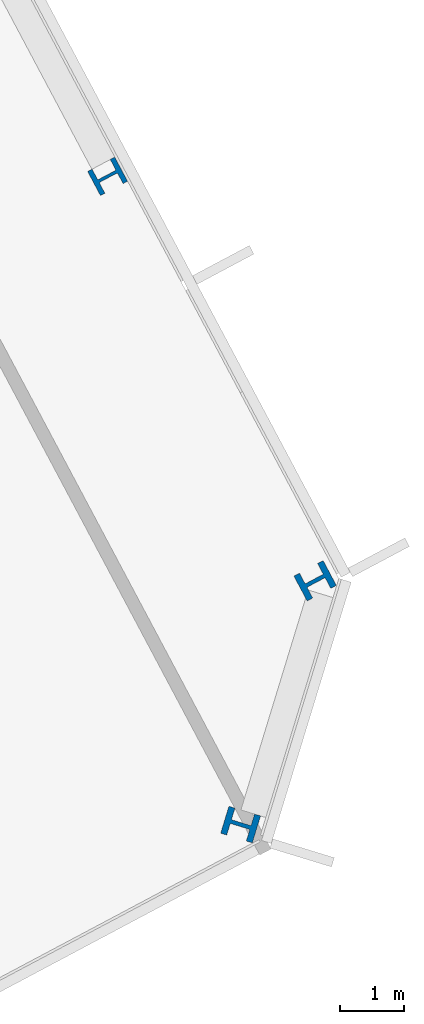
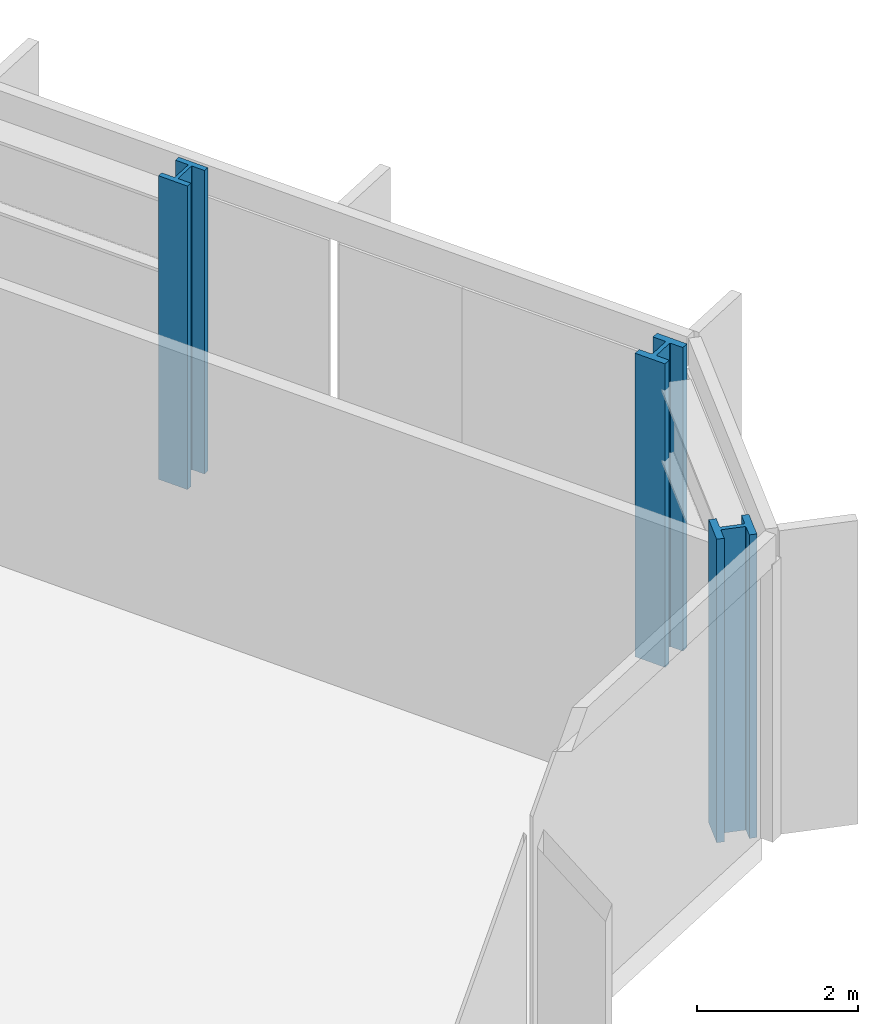
# One storey, part 6 of 30: 3 columns.
"""IFC4 building model written with IfcOpenShell, lengths in metres."""

import ifcopenshell
import ifcopenshell.guid

model = None  # the IFC model being written
_history = None  # IfcOwnerHistory: only IFC2X3 demands one
_inside = {}  # id of a spatial element -> (the spatial element, [elements in it])
_under = {}  # id of a project, library or spatial element -> (it, [spatial elements below it])
_declared = {}  # id of a project -> (the project, [libraries it declares])
_typed = {}  # id of a type object -> (the type object, [elements of that type])
_made_of = {}  # id of a material, layer set ... -> (it, [elements and type objects made of it])


def new_model(schema):
    """Start an empty IFC model of exactly this schema.

    Asked for "IFC4X3", IfcOpenShell would pick the latest addendum, in which some entities
    have other attributes; the version numbers below select the first issue.
    IFC2X3 requires an IfcOwnerHistory on every rooted entity: one is made here for all.
    """
    global model, _history
    if schema == "IFC4X3":
        model = ifcopenshell.file(schema_version=(4, 3, 0, 0))
    else:
        model = ifcopenshell.file(schema=schema)
    _inside.clear()
    _under.clear()
    _declared.clear()
    _typed.clear()
    _made_of.clear()
    _history = None
    if model.schema == "IFC2X3":
        org = make("IfcOrganization", Name="unknown")
        user = make(
            "IfcPersonAndOrganization",
            ThePerson=make("IfcPerson", FamilyName="unknown"),
            TheOrganization=org,
        )
        app = make(
            "IfcApplication",
            ApplicationDeveloper=org,
            Version="unknown",
            ApplicationFullName="unknown",
            ApplicationIdentifier="unknown",
        )
        _history = make(
            "IfcOwnerHistory",
            OwningUser=user,
            OwningApplication=app,
            ChangeAction="ADDED",
            CreationDate=0,
        )
    return model


def make(cls, **values):
    """One entity of the class cls with the attributes given. An attribute that is None is left unset."""
    return model.create_entity(
        cls, **{name: value for name, value in values.items() if value is not None}
    )


def rooted(cls, **values):
    """An entity with a GlobalId (a new one), such as an element, a storey or a relation."""
    return make(cls, GlobalId=ifcopenshell.guid.new(), OwnerHistory=_history, **values)


def si_unit(unit_type, name, prefix=None):
    """IfcSIUnit, for example si_unit("LENGTHUNIT", "METRE", prefix="MILLI")."""
    return make("IfcSIUnit", UnitType=unit_type, Prefix=prefix, Name=name)


def assignment(units):
    """IfcUnitAssignment: the units of a project."""
    return None if units is None else make("IfcUnitAssignment", Units=units)


def point(xyz):
    """IfcCartesianPoint."""
    return None if xyz is None else make("IfcCartesianPoint", Coordinates=xyz)


def direction(xyz):
    """IfcDirection."""
    return None if xyz is None else make("IfcDirection", DirectionRatios=xyz)


def frame(location, z_axis=None, x_axis=None):
    """IfcAxis2Placement3D, a coordinate frame: its origin and axes. An axis left out is left unset."""
    return make(
        "IfcAxis2Placement3D",
        Location=point(location),
        Axis=direction(z_axis),
        RefDirection=direction(x_axis),
    )


def frame_2d(location, x_axis=None):
    """IfcAxis2Placement2D, a coordinate frame in the plane: its origin and x axis."""
    return make(
        "IfcAxis2Placement2D", Location=point(location), RefDirection=direction(x_axis)
    )


def origin():
    """The frame at (0, 0, 0) with its axes left unset."""
    return frame((0.0, 0.0, 0.0))


def origin_2d():
    """The frame at (0, 0) in the plane with its x axis left unset."""
    return frame_2d((0.0, 0.0))


def place(relative_to, where):
    """IfcLocalPlacement: puts the frame where relative to a parent placement (None: the world)."""
    return make(
        "IfcLocalPlacement", PlacementRelTo=relative_to, RelativePlacement=where
    )


def context(
    kind, dimensions, precision=None, world=None, true_north=None, identifier=None
):
    """IfcGeometricRepresentationContext, for example the 3D "Model" context."""
    return make(
        "IfcGeometricRepresentationContext",
        ContextIdentifier=identifier,
        ContextType=kind,
        CoordinateSpaceDimension=dimensions,
        Precision=precision,
        WorldCoordinateSystem=world,
        TrueNorth=true_north,
    )


def subcontext(parent, identifier, kind, view, scale=None):
    """IfcGeometricRepresentationSubContext, for example "Body" below "Model"."""
    return make(
        "IfcGeometricRepresentationSubContext",
        ContextIdentifier=identifier,
        ContextType=kind,
        ParentContext=parent,
        TargetScale=scale,
        TargetView=view,
    )


def project(units=None, contexts=None):
    """IfcProject with its units and contexts."""
    return rooted(
        "IfcProject",
        Name="project",
        RepresentationContexts=contexts,
        UnitsInContext=assignment(units),
    )


def spatial(cls, under=None, at=None, **own):
    """A site, building, storey or space (cls), placed at a placement, below another one or the project."""
    s = rooted(cls, ObjectPlacement=at, **own)
    if under is not None:
        _under.setdefault(under.id(), (under, []))[1].append(s)
    return s


def profile(cls, at=None, kind="AREA", **sizes):
    """A parametric profile (cls). Its sizes go by their IFC names, for example OverallWidth=200.0."""
    return make(cls, ProfileType=kind, Position=at, **sizes)


def i_section(**sizes):
    """IfcIShapeProfileDef."""
    return profile("IfcIShapeProfileDef", **sizes)


def extrude(swept, where, along, depth):
    """IfcExtrudedAreaSolid: the profile swept, set in the frame where, extruded along a direction by depth."""
    return make(
        "IfcExtrudedAreaSolid",
        SweptArea=swept,
        Position=where,
        ExtrudedDirection=direction(along),
        Depth=depth,
    )


def shape(context_of_items, identifier, shape_type, items):
    """IfcShapeRepresentation: the items that make up one representation, for example the "Body"."""
    return make(
        "IfcShapeRepresentation",
        ContextOfItems=context_of_items,
        RepresentationIdentifier=identifier,
        RepresentationType=shape_type,
        Items=items,
    )


def material(Name=None, Category=None):
    """IfcMaterial."""
    return make("IfcMaterial", Name=Name, Category=Category)


def material_profile(
    of_material, cross_section, Name=None, Category=None, Priority=None
):
    """IfcMaterialProfile: a cross section and its material."""
    return make(
        "IfcMaterialProfile",
        Name=Name,
        Material=of_material,
        Profile=cross_section,
        Priority=Priority,
        Category=Category,
    )


def profile_set(profiles, Name=None, composite=None):
    """IfcMaterialProfileSet."""
    return make(
        "IfcMaterialProfileSet",
        Name=Name,
        MaterialProfiles=profiles,
        CompositeProfile=composite,
    )


def made_of(thing, what):
    """Note that an element or type object is made of a material, layer set ...; save() writes the relation."""
    if what is not None:
        _made_of.setdefault(what.id(), (what, []))[1].append(thing)
    return thing


def type_object(cls, material=None, **own):
    """A type object (cls), such as IfcWallType, which elements share."""
    return made_of(rooted(cls, **own), material)


def element(
    cls,
    number,
    at=None,
    inside=None,
    cuts=None,
    type_object=None,
    material=None,
    context=None,
    identifier="Body",
    shape_type=None,
    held_by="IfcProductDefinitionShape",
    body=None,
    shapes=None,
    **own,
):
    """One element of the class cls, such as IfcWall. Its Tag is "e" and its number.

    at: its placement. inside: the storey or other place that contains it. cuts: it is an
    opening in that element (IfcRelVoidsElement). A single representation is given by context,
    identifier, shape_type and body (its items); several are given by shapes. held_by: the class
    of the entity that holds the representations. save() writes the other relations.
    """
    e = rooted(cls, Tag="e%d" % number, ObjectPlacement=at, **own)
    if body is not None:
        shapes = [shape(context, identifier, shape_type, body)]
    if shapes is not None:
        e.Representation = make(held_by, Representations=shapes)
    if inside is not None:
        _inside.setdefault(inside.id(), (inside, []))[1].append(e)
    if cuts is not None:
        rooted(
            "IfcRelVoidsElement", RelatingBuildingElement=cuts, RelatedOpeningElement=e
        )
    if type_object is not None:
        _typed.setdefault(type_object.id(), (type_object, []))[1].append(e)
    return made_of(e, material)


def aggregate(whole, parts):
    """IfcRelAggregates: a whole, such as a stair, and the parts it consists of."""
    return rooted("IfcRelAggregates", RelatingObject=whole, RelatedObjects=parts)


def save(model, path):
    """Write the relations noted so far, then the file.

    IfcRelAggregates (storeys below a building ...), IfcRelContainedInSpatialStructure (elements
    in a storey), IfcRelDefinesByType, IfcRelAssociatesMaterial and IfcRelDeclares: one each for
    every whole, place, type object, material and project.
    """
    for whole, parts in _under.values():
        aggregate(whole, parts)
    for where, things in _inside.values():
        rooted(
            "IfcRelContainedInSpatialStructure",
            RelatedElements=things,
            RelatingStructure=where,
        )
    for kind, things in _typed.values():
        rooted("IfcRelDefinesByType", RelatedObjects=things, RelatingType=kind)
    for what, things in _made_of.values():
        rooted("IfcRelAssociatesMaterial", RelatedObjects=things, RelatingMaterial=what)
    for by, libraries in _declared.values():
        rooted("IfcRelDeclares", RelatingContext=by, RelatedDefinitions=libraries)
    model.write(path)


model = new_model("IFC4")

# Units and contexts
model_context = context("Model", 3, precision=1e-05, world=origin(), true_north=direction((0.0, 1.0)))
body_context = subcontext(model_context, "Body", "Model", "MODEL_VIEW")
ifc_project = project(units=[si_unit("LENGTHUNIT", "METRE"), si_unit("AREAUNIT", "SQUARE_METRE"), si_unit("VOLUMEUNIT", "CUBIC_METRE"), si_unit("PLANEANGLEUNIT", "RADIAN"), si_unit("MASSUNIT", "GRAM", prefix="KILO")], contexts=[model_context])

# Site, building, storey
site_placement = place(None, origin())
site = spatial("IfcSite", under=ifc_project, at=site_placement, CompositionType="ELEMENT")
building_placement = place(site_placement, origin())
building = spatial("IfcBuilding", under=site, at=building_placement, Name="Cormorant Relay Tower", CompositionType="ELEMENT")
storey_placement = place(building_placement, frame((0.0, 0.0, 80.0)))
storey = spatial("IfcBuildingStorey", under=building, at=storey_placement, Name="L15", CompositionType="ELEMENT", Elevation=80.0)

# Columns
ifc_material_1 = material(Name="Steel ASTM A992 (Fy 345 MPa)", Category="steel")
ifc_material_profile_1 = material_profile(ifc_material_1, i_section(OverallWidth=0.42431640625, OverallDepth=0.47509765625, WebThickness=0.0478515625, FlangeThickness=0.0771484375, FilletRadius=0.014892578125, at=origin_2d()), Name="W360x634")
ifc_profile_set_1 = profile_set([ifc_material_profile_1], Name="Steel ASTM A992 (Fy 345 MPa)")
column_type_1 = type_object("IfcColumnType", Name="Column W360x634", PredefinedType="COLUMN", material=ifc_profile_set_1)
column_placement = place(storey_placement, frame((68.430908203125, 24.153076171875, 0.0), z_axis=(0.0, 0.0, 1.0), x_axis=(-0.469471562786, 0.882947592859, 0.0)))
element("IfcColumn", 1, at=column_placement, inside=storey, type_object=column_type_1, Name="Column L15-033", PredefinedType="COLUMN", context=body_context, shape_type="SweptSolid", body=[
    extrude(i_section(OverallWidth=0.42431640625, OverallDepth=0.47509765625, WebThickness=0.0478515625, FlangeThickness=0.0771484375, FilletRadius=0.014892578125, at=origin_2d()), origin(), (0.0, 0.0, 1.0), 4.60009765625),
])
ifc_material_2 = material(Name="Steel ASTM A992 (Fy 345 MPa)", Category="steel")
ifc_material_profile_2 = material_profile(ifc_material_2, i_section(OverallWidth=0.43701171875, OverallDepth=0.51318359375, WebThickness=0.060546875, FlangeThickness=0.096923828125, FilletRadius=0.015380859375, at=origin_2d()), Name="W360x818")
ifc_profile_set_2 = profile_set([ifc_material_profile_2], Name="Steel ASTM A992 (Fy 345 MPa)")
column_type_2 = type_object("IfcColumnType", Name="Column W360x818", PredefinedType="COLUMN", material=ifc_profile_set_2)
for number, where, z_axis, x_axis, name in (
    (2, (70.4970703125, 14.0869140625, 0.0), (0.0, 0.0, 1.0), (0.292371704723, 0.956304755963, 0.0), "Column L15-026"),
    (3, (71.654052734375, 17.873046875, 0.0), (0.0, 0.0, 1.0), (-0.469471562786, 0.882947592859, 0.0), "Column L15-028"),
):
    element("IfcColumn", number, at=place(storey_placement, frame(where, z_axis=z_axis, x_axis=x_axis)), inside=storey, type_object=column_type_2, Name=name, PredefinedType="COLUMN", context=body_context, shape_type="SweptSolid", body=[
        extrude(i_section(OverallWidth=0.43701171875, OverallDepth=0.51318359375, WebThickness=0.060546875, FlangeThickness=0.096923828125, FilletRadius=0.015380859375, at=origin_2d()), origin(), (0.0, 0.0, 1.0), 4.60009765625),
    ])

save(model, "model.ifc")
